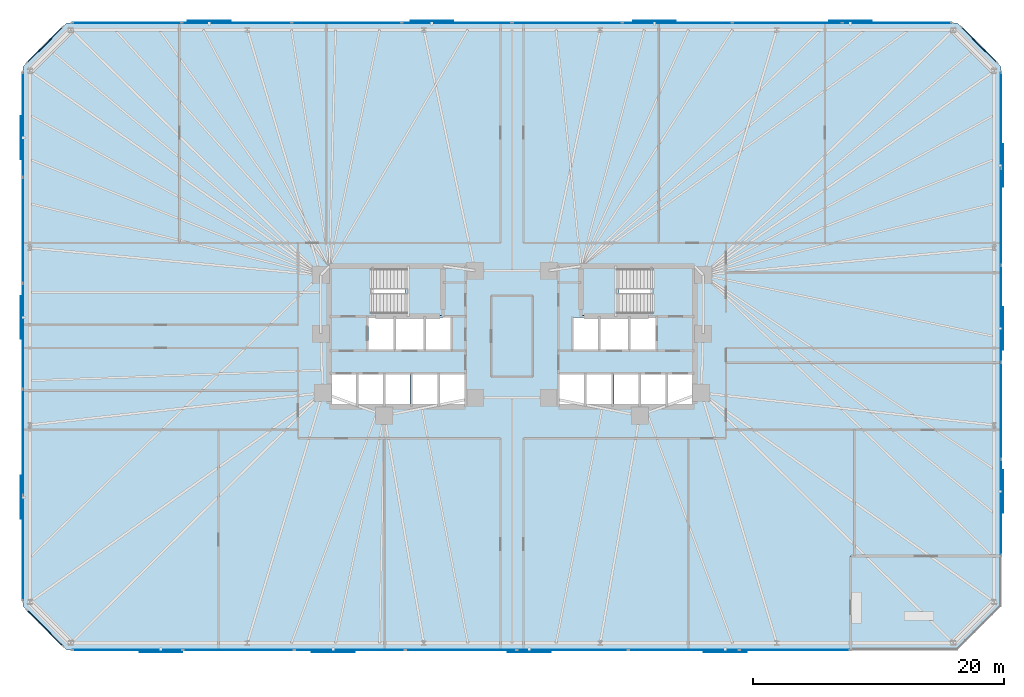
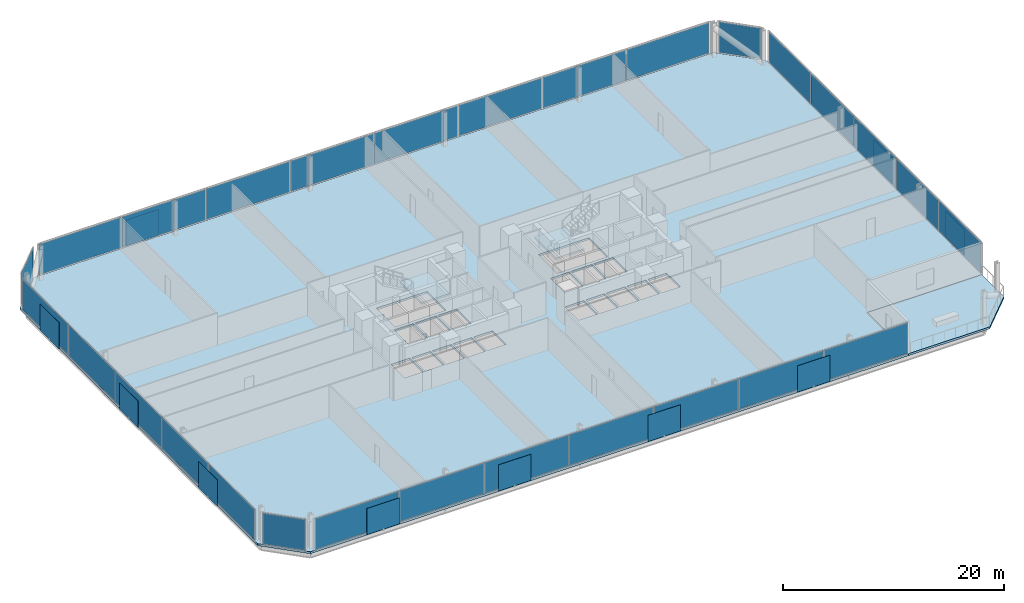
# One storey, part 11 of 17: 42 plates, 4 slabs, 9 elements without a shape of their own.
"""IFC4 building model written with IfcOpenShell, lengths in metres."""

from ifc_helpers import new_model, si_unit, direction, frame, origin, origin_2d, place, context, subcontext, project, spatial, polyline, rectangle, outline, extrude, material, layer, layer_set, type_object, element, aggregate, save


model = new_model("IFC4")

# Units and contexts
model_context = context("Model", 3, precision=1e-05, world=origin(), true_north=direction((0.0, 1.0)))
body_context = subcontext(model_context, "Body", "Model", "MODEL_VIEW")
ifc_project = project(units=[si_unit("LENGTHUNIT", "METRE"), si_unit("AREAUNIT", "SQUARE_METRE"), si_unit("VOLUMEUNIT", "CUBIC_METRE"), si_unit("PLANEANGLEUNIT", "RADIAN"), si_unit("MASSUNIT", "GRAM", prefix="KILO")], contexts=[model_context])

# Site, building, storey
site_placement = place(None, origin())
site = spatial("IfcSite", under=ifc_project, at=site_placement, CompositionType="ELEMENT")
building_placement = place(site_placement, origin())
building = spatial("IfcBuilding", under=site, at=building_placement, Name="Menara Jurai Vektor", CompositionType="ELEMENT")
storey_placement = place(building_placement, frame((0.0, 0.0, 44.60009765625)))
storey = spatial("IfcBuildingStorey", under=building, at=storey_placement, Name="L10", CompositionType="ELEMENT", Elevation=44.60009765625)

# Curtain wall, plates
ifc_material_1 = material(Name="Anodised Pale Aluminium & Low-E Double Glazing", Category="aluminium")
curtain_wall_type = type_object("IfcCurtainWallType", Name="CW-BLK1", PredefinedType="NOTDEFINED", material=ifc_material_1)
curtain_wall_1_placement = place(storey_placement, origin())
curtain_wall_1 = element("IfcCurtainWall", 1, at=curtain_wall_1_placement, inside=storey, type_object=curtain_wall_type, Name="Unitised Curtain Wall L10 F03", PredefinedType="NOTDEFINED")
ifc_material_2 = material(Name="Low-E Solar-Control Double Glazed Unit", Category="glass")
ifc_layer_1 = layer(ifc_material_2, 0.035888671875)
ifc_layer_set_1 = layer_set([ifc_layer_1], Name="Low-E Solar-Control Double Glazed Unit")
plate_type_1 = type_object("IfcPlateType", Name="CW-BLK1-PNL", PredefinedType="CURTAIN_PANEL", material=ifc_layer_set_1)
plate_1_placement = place(storey_placement, frame((39.0, -13.6142578125, 0.0947265625), z_axis=(0.0, 0.0, 1.0), x_axis=(0.0, 1.0, 0.0)))
plate_1 = element("IfcPlate", 2, at=plate_1_placement, type_object=plate_type_1, Name="CW-01 panel 1.1", PredefinedType="CURTAIN_PANEL", context=body_context, shape_type="SweptSolid", body=[
    extrude(rectangle(XDim=7.58154296875, YDim=0.035888671875, at=origin_2d()), origin(), (0.0, 0.0, 1.0), 3.385009765625),
])
plate_2_placement = place(storey_placement, frame((39.0, -5.9140625, 0.0947265625), z_axis=(0.0, 0.0, 1.0), x_axis=(0.0, 1.0, 0.0)))
plate_2 = element("IfcPlate", 3, at=plate_2_placement, type_object=plate_type_1, Name="CW-01 panel 2.1", PredefinedType="CURTAIN_PANEL", context=body_context, shape_type="SweptSolid", body=[
    extrude(rectangle(XDim=7.62890625, YDim=0.035888671875, at=origin_2d()), origin(), (0.0, 0.0, 1.0), 3.385009765625),
])
plate_3_placement = place(storey_placement, frame((39.0, 1.81005859375, 0.0947265625), z_axis=(0.0, 0.0, 1.0), x_axis=(0.0, 1.0, 0.0)))
plate_3 = element("IfcPlate", 4, at=plate_3_placement, type_object=plate_type_1, Name="CW-01 panel 3.1", PredefinedType="CURTAIN_PANEL", context=body_context, shape_type="SweptSolid", body=[
    extrude(rectangle(XDim=7.62890625, YDim=0.035888671875, at=origin_2d()), origin(), (0.0, 0.0, 1.0), 3.385009765625),
])
plate_4_placement = place(storey_placement, frame((39.0, 9.533935546875, 0.0947265625), z_axis=(0.0, 0.0, 1.0), x_axis=(0.0, 1.0, 0.0)))
plate_4 = element("IfcPlate", 5, at=plate_4_placement, type_object=plate_type_1, Name="CW-01 panel 4.1", PredefinedType="CURTAIN_PANEL", context=body_context, shape_type="SweptSolid", body=[
    extrude(rectangle(XDim=7.62890625, YDim=0.035888671875, at=origin_2d()), origin(), (0.0, 0.0, 1.0), 3.385009765625),
])
plate_5_placement = place(storey_placement, frame((39.0, 17.234130859375, 0.0947265625), z_axis=(0.0, 0.0, 1.0), x_axis=(0.0, 1.0, 0.0)))
plate_5 = element("IfcPlate", 6, at=plate_5_placement, type_object=plate_type_1, Name="CW-01 panel 5.1", PredefinedType="CURTAIN_PANEL", context=body_context, shape_type="SweptSolid", body=[
    extrude(rectangle(XDim=7.58154296875, YDim=0.035888671875, at=origin_2d()), origin(), (0.0, 0.0, 1.0), 3.385009765625),
])
aggregate(curtain_wall_1, [plate_1, plate_2, plate_3, plate_4, plate_5])

curtain_wall_2_placement = place(storey_placement, origin())
curtain_wall_2 = element("IfcCurtainWall", 7, at=curtain_wall_2_placement, inside=storey, type_object=curtain_wall_type, Name="Unitised Curtain Wall L10 F05", PredefinedType="NOTDEFINED")
plate_6_placement = place(storey_placement, frame((30.706298828125, 25.0, 0.0947265625), z_axis=(0.0, 0.0, 1.0), x_axis=(-1.0, 0.0, 0.0)))
plate_6 = element("IfcPlate", 8, at=plate_6_placement, type_object=plate_type_1, Name="CW-01 panel 1.1", PredefinedType="CURTAIN_PANEL", context=body_context, shape_type="SweptSolid", body=[
    extrude(rectangle(XDim=8.637451171875, YDim=0.035888671875, at=origin_2d()), origin(), (0.0, 0.0, 1.0), 3.385009765625),
])
plate_7_placement = place(storey_placement, frame((21.949951171875, 25.0, 0.0947265625), z_axis=(0.0, 0.0, 1.0), x_axis=(-1.0, 0.0, 0.0)))
plate_7 = element("IfcPlate", 9, at=plate_7_placement, type_object=plate_type_1, Name="CW-01 panel 2.1", PredefinedType="CURTAIN_PANEL", context=body_context, shape_type="SweptSolid", body=[
    extrude(rectangle(XDim=8.68505859375, YDim=0.035888671875, at=origin_2d()), origin(), (0.0, 0.0, 1.0), 3.385009765625),
])
plate_8_placement = place(storey_placement, frame((13.169921875, 25.0, 0.0947265625), z_axis=(0.0, 0.0, 1.0), x_axis=(-1.0, 0.0, 0.0)))
plate_8 = element("IfcPlate", 10, at=plate_8_placement, type_object=plate_type_1, Name="CW-01 panel 3.1", PredefinedType="CURTAIN_PANEL", context=body_context, shape_type="SweptSolid", body=[
    extrude(rectangle(XDim=8.68505859375, YDim=0.035888671875, at=origin_2d()), origin(), (0.0, 0.0, 1.0), 3.385009765625),
])
plate_9_placement = place(storey_placement, frame((4.389892578125, 25.0, 0.0947265625), z_axis=(0.0, 0.0, 1.0), x_axis=(-1.0, 0.0, 0.0)))
plate_9 = element("IfcPlate", 11, at=plate_9_placement, type_object=plate_type_1, Name="CW-01 panel 4.1", PredefinedType="CURTAIN_PANEL", context=body_context, shape_type="SweptSolid", body=[
    extrude(rectangle(XDim=8.68505859375, YDim=0.035888671875, at=origin_2d()), origin(), (0.0, 0.0, 1.0), 3.385009765625),
])
plate_10_placement = place(storey_placement, frame((-4.389892578125, 25.0, 0.0947265625), z_axis=(0.0, 0.0, 1.0), x_axis=(-1.0, 0.0, 0.0)))
plate_10 = element("IfcPlate", 12, at=plate_10_placement, type_object=plate_type_1, Name="CW-01 panel 5.1", PredefinedType="CURTAIN_PANEL", context=body_context, shape_type="SweptSolid", body=[
    extrude(rectangle(XDim=8.68505859375, YDim=0.035888671875, at=origin_2d()), origin(), (0.0, 0.0, 1.0), 3.385009765625),
])
plate_11_placement = place(storey_placement, frame((-13.169921875, 25.0, 0.0947265625), z_axis=(0.0, 0.0, 1.0), x_axis=(-1.0, 0.0, 0.0)))
plate_11 = element("IfcPlate", 13, at=plate_11_placement, type_object=plate_type_1, Name="CW-01 panel 6.1", PredefinedType="CURTAIN_PANEL", context=body_context, shape_type="SweptSolid", body=[
    extrude(rectangle(XDim=8.68505859375, YDim=0.035888671875, at=origin_2d()), origin(), (0.0, 0.0, 1.0), 3.385009765625),
])
plate_12_placement = place(storey_placement, frame((-21.949951171875, 25.0, 0.0947265625), z_axis=(0.0, 0.0, 1.0), x_axis=(-1.0, 0.0, 0.0)))
plate_12 = element("IfcPlate", 14, at=plate_12_placement, type_object=plate_type_1, Name="CW-01 panel 7.1", PredefinedType="CURTAIN_PANEL", context=body_context, shape_type="SweptSolid", body=[
    extrude(rectangle(XDim=8.68505859375, YDim=0.035888671875, at=origin_2d()), origin(), (0.0, 0.0, 1.0), 3.385009765625),
])
plate_13_placement = place(storey_placement, frame((-30.706298828125, 25.0, 0.0947265625), z_axis=(0.0, 0.0, 1.0), x_axis=(-1.0, 0.0, 0.0)))
plate_13 = element("IfcPlate", 15, at=plate_13_placement, type_object=plate_type_1, Name="CW-01 panel 8.1", PredefinedType="CURTAIN_PANEL", context=body_context, shape_type="SweptSolid", body=[
    extrude(rectangle(XDim=8.637451171875, YDim=0.035888671875, at=origin_2d()), origin(), (0.0, 0.0, 1.0), 3.385009765625),
])
aggregate(curtain_wall_2, [plate_6, plate_7, plate_8, plate_9, plate_10, plate_11, plate_12, plate_13])

curtain_wall_3_placement = place(storey_placement, origin())
curtain_wall_3 = element("IfcCurtainWall", 16, at=curtain_wall_3_placement, inside=storey, type_object=curtain_wall_type, Name="Unitised Curtain Wall L10 F07", PredefinedType="NOTDEFINED")
plate_14_placement = place(storey_placement, frame((-39.0, 16.872314453125, 0.0947265625), z_axis=(0.0, 0.0, 1.0), x_axis=(0.0, -1.0, 0.0)))
plate_14 = element("IfcPlate", 17, at=plate_14_placement, type_object=plate_type_1, Name="CW-01 panel 1.1", PredefinedType="CURTAIN_PANEL", context=body_context, shape_type="SweptSolid", body=[
    extrude(rectangle(XDim=8.305419921875, YDim=0.035888671875, at=origin_2d()), origin(), (0.0, 0.0, 1.0), 3.385009765625),
])
plate_15_placement = place(storey_placement, frame((-39.0, 8.447998046875, 0.0947265625), z_axis=(0.0, 0.0, 1.0), x_axis=(0.0, -1.0, 0.0)))
plate_15 = element("IfcPlate", 18, at=plate_15_placement, type_object=plate_type_1, Name="CW-01 panel 2.1", PredefinedType="CURTAIN_PANEL", context=body_context, shape_type="SweptSolid", body=[
    extrude(rectangle(XDim=8.35302734375, YDim=0.035888671875, at=origin_2d()), origin(), (0.0, 0.0, 1.0), 3.385009765625),
])
plate_16_placement = place(storey_placement, frame((-39.0, 0.0, 0.0947265625), z_axis=(0.0, 0.0, 1.0), x_axis=(0.0, -1.0, 0.0)))
plate_16 = element("IfcPlate", 19, at=plate_16_placement, type_object=plate_type_1, Name="CW-01 panel 3.1", PredefinedType="CURTAIN_PANEL", context=body_context, shape_type="SweptSolid", body=[
    extrude(rectangle(XDim=8.35302734375, YDim=0.035888671875, at=origin_2d()), origin(), (0.0, 0.0, 1.0), 3.385009765625),
])
plate_17_placement = place(storey_placement, frame((-39.0, -8.447998046875, 0.0947265625), z_axis=(0.0, 0.0, 1.0), x_axis=(0.0, -1.0, 0.0)))
plate_17 = element("IfcPlate", 20, at=plate_17_placement, type_object=plate_type_1, Name="CW-01 panel 4.1", PredefinedType="CURTAIN_PANEL", context=body_context, shape_type="SweptSolid", body=[
    extrude(rectangle(XDim=8.35302734375, YDim=0.035888671875, at=origin_2d()), origin(), (0.0, 0.0, 1.0), 3.385009765625),
])
plate_18_placement = place(storey_placement, frame((-39.0, -16.872314453125, 0.0947265625), z_axis=(0.0, 0.0, 1.0), x_axis=(0.0, -1.0, 0.0)))
plate_18 = element("IfcPlate", 21, at=plate_18_placement, type_object=plate_type_1, Name="CW-01 panel 5.1", PredefinedType="CURTAIN_PANEL", context=body_context, shape_type="SweptSolid", body=[
    extrude(rectangle(XDim=8.305419921875, YDim=0.035888671875, at=origin_2d()), origin(), (0.0, 0.0, 1.0), 3.385009765625),
])
aggregate(curtain_wall_3, [plate_14, plate_15, plate_16, plate_17, plate_18])

curtain_wall_4_placement = place(storey_placement, origin())
curtain_wall_4 = element("IfcCurtainWall", 22, at=curtain_wall_4_placement, inside=storey, type_object=curtain_wall_type, Name="Unitised Curtain Wall L10 F09", PredefinedType="NOTDEFINED")
plate_19_placement = place(storey_placement, frame((-30.6591796875, -25.0, 0.0947265625), z_axis=(0.0, 0.0, 1.0), x_axis=(1.0, 0.0, 0.0)))
plate_19 = element("IfcPlate", 23, at=plate_19_placement, type_object=plate_type_1, Name="CW-01 panel 1.1", PredefinedType="CURTAIN_PANEL", context=body_context, shape_type="SweptSolid", body=[
    extrude(rectangle(XDim=8.731689453125, YDim=0.035888671875, at=origin_2d()), origin(), (0.0, 0.0, 1.0), 3.385009765625),
])
plate_20_placement = place(storey_placement, frame((-21.80859375, -25.0, 0.0947265625), z_axis=(0.0, 0.0, 1.0), x_axis=(1.0, 0.0, 0.0)))
plate_20 = element("IfcPlate", 24, at=plate_20_placement, type_object=plate_type_1, Name="CW-01 panel 2.1", PredefinedType="CURTAIN_PANEL", context=body_context, shape_type="SweptSolid", body=[
    extrude(rectangle(XDim=8.779296875, YDim=0.035888671875, at=origin_2d()), origin(), (0.0, 0.0, 1.0), 3.385009765625),
])
plate_21_placement = place(storey_placement, frame((-12.934326171875, -25.0, 0.0947265625), z_axis=(0.0, 0.0, 1.0), x_axis=(1.0, 0.0, 0.0)))
plate_21 = element("IfcPlate", 25, at=plate_21_placement, type_object=plate_type_1, Name="CW-01 panel 3.1", PredefinedType="CURTAIN_PANEL", context=body_context, shape_type="SweptSolid", body=[
    extrude(rectangle(XDim=8.779296875, YDim=0.035888671875, at=origin_2d()), origin(), (0.0, 0.0, 1.0), 3.385009765625),
])
plate_22_placement = place(storey_placement, frame((-4.06005859375, -25.0, 0.0947265625), z_axis=(0.0, 0.0, 1.0), x_axis=(1.0, 0.0, 0.0)))
plate_22 = element("IfcPlate", 26, at=plate_22_placement, type_object=plate_type_1, Name="CW-01 panel 4.1", PredefinedType="CURTAIN_PANEL", context=body_context, shape_type="SweptSolid", body=[
    extrude(rectangle(XDim=8.779296875, YDim=0.035888671875, at=origin_2d()), origin(), (0.0, 0.0, 1.0), 3.385009765625),
])
plate_23_placement = place(storey_placement, frame((4.814208984375, -25.0, 0.0947265625), z_axis=(0.0, 0.0, 1.0), x_axis=(1.0, 0.0, 0.0)))
plate_23 = element("IfcPlate", 27, at=plate_23_placement, type_object=plate_type_1, Name="CW-01 panel 5.1", PredefinedType="CURTAIN_PANEL", context=body_context, shape_type="SweptSolid", body=[
    extrude(rectangle(XDim=8.779296875, YDim=0.035888671875, at=origin_2d()), origin(), (0.0, 0.0, 1.0), 3.385009765625),
])
plate_24_placement = place(storey_placement, frame((13.6884765625, -25.0, 0.0947265625), z_axis=(0.0, 0.0, 1.0), x_axis=(1.0, 0.0, 0.0)))
plate_24 = element("IfcPlate", 28, at=plate_24_placement, type_object=plate_type_1, Name="CW-01 panel 6.1", PredefinedType="CURTAIN_PANEL", context=body_context, shape_type="SweptSolid", body=[
    extrude(rectangle(XDim=8.779296875, YDim=0.035888671875, at=origin_2d()), origin(), (0.0, 0.0, 1.0), 3.385009765625),
])
plate_25_placement = place(storey_placement, frame((22.5390625, -25.0, 0.0947265625), z_axis=(0.0, 0.0, 1.0), x_axis=(1.0, 0.0, 0.0)))
plate_25 = element("IfcPlate", 29, at=plate_25_placement, type_object=plate_type_1, Name="CW-01 panel 7.1", PredefinedType="CURTAIN_PANEL", context=body_context, shape_type="SweptSolid", body=[
    extrude(rectangle(XDim=8.731689453125, YDim=0.035888671875, at=origin_2d()), origin(), (0.0, 0.0, 1.0), 3.385009765625),
])
aggregate(curtain_wall_4, [plate_19, plate_20, plate_21, plate_22, plate_23, plate_24, plate_25])

# Curtain wall, plate
curtain_wall_5_placement = place(storey_placement, origin())
curtain_wall_5 = element("IfcCurtainWall", 30, at=curtain_wall_5_placement, inside=storey, type_object=curtain_wall_type, Name="Unitised Curtain Wall L10 F04", PredefinedType="NOTDEFINED")
ifc_material_3 = material(Name="Insulated Pale Aluminium Spandrel Panel", Category="aluminium")
ifc_layer_2 = layer(ifc_material_3, 0.06005859375)
ifc_layer_set_2 = layer_set([ifc_layer_2], Name="Insulated Pale Aluminium Spandrel Panel")
plate_type_2 = type_object("IfcPlateType", Name="CW-PNL-SP", PredefinedType="CURTAIN_PANEL", material=ifc_layer_set_2)
plate_26_placement = place(storey_placement, frame((37.25, 23.25, 0.0947265625), z_axis=(0.0, 0.0, 1.0), x_axis=(-0.707106781187, 0.707106781187, 0.0)))
plate_26 = element("IfcPlate", 31, at=plate_26_placement, type_object=plate_type_2, Name="CW-01 panel 1.1", PredefinedType="CURTAIN_PANEL", context=body_context, shape_type="SweptSolid", body=[
    extrude(rectangle(XDim=3.999755859375, YDim=0.06005859375, at=origin_2d()), origin(), (0.0, 0.0, 1.0), 3.385009765625),
])
aggregate(curtain_wall_5, [plate_26])

curtain_wall_6_placement = place(storey_placement, origin())
curtain_wall_6 = element("IfcCurtainWall", 32, at=curtain_wall_6_placement, inside=storey, type_object=curtain_wall_type, Name="Unitised Curtain Wall L10 F06", PredefinedType="NOTDEFINED")
plate_27_placement = place(storey_placement, frame((-37.25, 23.25, 0.0947265625), z_axis=(0.0, 0.0, 1.0), x_axis=(-0.707106781187, -0.707106781187, 0.0)))
plate_27 = element("IfcPlate", 33, at=plate_27_placement, type_object=plate_type_2, Name="CW-01 panel 1.1", PredefinedType="CURTAIN_PANEL", context=body_context, shape_type="SweptSolid", body=[
    extrude(rectangle(XDim=3.999755859375, YDim=0.06005859375, at=origin_2d()), origin(), (0.0, 0.0, 1.0), 3.385009765625),
])
aggregate(curtain_wall_6, [plate_27])

curtain_wall_7_placement = place(storey_placement, origin())
curtain_wall_7 = element("IfcCurtainWall", 34, at=curtain_wall_7_placement, inside=storey, type_object=curtain_wall_type, Name="Unitised Curtain Wall L10 F08", PredefinedType="NOTDEFINED")
plate_28_placement = place(storey_placement, frame((-37.25, -23.25, 0.0947265625), z_axis=(0.0, 0.0, 1.0), x_axis=(0.707106781187, -0.707106781187, 0.0)))
plate_28 = element("IfcPlate", 35, at=plate_28_placement, type_object=plate_type_2, Name="CW-01 panel 1.1", PredefinedType="CURTAIN_PANEL", context=body_context, shape_type="SweptSolid", body=[
    extrude(rectangle(XDim=3.999755859375, YDim=0.06005859375, at=origin_2d()), origin(), (0.0, 0.0, 1.0), 3.385009765625),
])
aggregate(curtain_wall_7, [plate_28])

# Plates
ifc_material_4 = material(Name="Anodised Pale Aluminium Perforated Screen", Category="aluminium")
ifc_layer_3 = layer(ifc_material_4, 0.02392578125)
ifc_layer_set_3 = layer_set([ifc_layer_3], Name="Anodised Pale Aluminium Perforated Screen")
plate_type_3 = type_object("IfcPlateType", Name="ENV-PLT-SCREEN", PredefinedType="USERDEFINED", material=ifc_layer_set_3)
for number, where, z_axis, x_axis, name in (
    (36, (39.159912109375, -12.364990234375, -0.050048828125), (0.0, 0.0, 1.0), (0.0, 1.0, 0.0), "Perforated Pale-Metal Solar Screen L10-S01"),
    (37, (39.159912109375, 0.635009765625, -0.050048828125), (0.0, 0.0, 1.0), (0.0, 1.0, 0.0), "Perforated Pale-Metal Solar Screen L10-S02"),
    (38, (39.159912109375, 13.635009765625, -0.050048828125), (0.0, 0.0, 1.0), (0.0, 1.0, 0.0), "Perforated Pale-Metal Solar Screen L10-S03"),
    (39, (26.97998046875, 25.159912109375, -0.050048828125), (0.0, 0.0, 1.0), (-1.0, 0.0, 0.0), "Perforated Pale-Metal Solar Screen L10-S04"),
    (40, (11.360107421875, 25.159912109375, -0.050048828125), (0.0, 0.0, 1.0), (-1.0, 0.0, 0.0), "Perforated Pale-Metal Solar Screen L10-S05"),
    (41, (-6.389892578125, 25.159912109375, -0.050048828125), (0.0, 0.0, 1.0), (-1.0, 0.0, 0.0), "Perforated Pale-Metal Solar Screen L10-S06"),
    (42, (-24.139892578125, 25.159912109375, -0.050048828125), (0.0, 0.0, 1.0), (-1.0, 0.0, 0.0), "Perforated Pale-Metal Solar Screen L10-S07"),
    (43, (-39.159912109375, 15.83837890625, -0.050048828125), (0.0, 0.0, 1.0), (0.0, -1.0, 0.0), "Perforated Pale-Metal Solar Screen L10-S08"),
    (44, (-39.159912109375, 1.5048828125, -0.050048828125), (0.0, 0.0, 1.0), (0.0, -1.0, 0.0), "Perforated Pale-Metal Solar Screen L10-S09"),
    (45, (-39.159912109375, -12.828369140625, -0.050048828125), (0.0, 0.0, 1.0), (0.0, -1.0, 0.0), "Perforated Pale-Metal Solar Screen L10-S10"),
    (46, (-28.0, -25.159912109375, -0.050048828125), (0.0, 0.0, 1.0), (1.0, 0.0, 0.0), "Perforated Pale-Metal Solar Screen L10-S11"),
    (47, (-14.25, -25.159912109375, -0.050048828125), (0.0, 0.0, 1.0), (1.0, 0.0, 0.0), "Perforated Pale-Metal Solar Screen L10-S12"),
    (48, (1.375, -25.159912109375, -0.050048828125), (0.0, 0.0, 1.0), (1.0, 0.0, 0.0), "Perforated Pale-Metal Solar Screen L10-S13"),
    (49, (17.0, -25.159912109375, -0.050048828125), (0.0, 0.0, 1.0), (1.0, 0.0, 0.0), "Perforated Pale-Metal Solar Screen L10-S14"),
):
    element("IfcPlate", number, at=place(storey_placement, frame(where, z_axis=z_axis, x_axis=x_axis)), inside=storey, type_object=plate_type_3, Name=name, ObjectType="SCREEN", PredefinedType="USERDEFINED", context=body_context, shape_type="SweptSolid", body=[
        extrude(rectangle(XDim=3.39990234375, YDim=0.02392578125, at=origin_2d()), origin(), (0.0, 0.0, 1.0), 2.89990234375),
    ])

# Stair, slab
ifc_material_5 = material(Name="Concrete C40/50", Category="concrete")
stair_type = type_object("IfcStairType", Name="STAIR-DOGLEG-1500", PredefinedType="HALF_TURN_STAIR", material=ifc_material_5)
stair_1_placement = place(storey_placement, origin())
stair_1 = element("IfcStair", 50, at=stair_1_placement, inside=storey, type_object=stair_type, Name="Protected Exit Stair ST1 L10", PredefinedType="HALF_TURN_STAIR")
ifc_layer_4 = layer(ifc_material_5, 0.199951171875)
ifc_layer_set_4 = layer_set([ifc_layer_4], Name="Concrete C40/50")
slab_type_1 = type_object("IfcSlabType", Name="STAIR-LANDING-200", PredefinedType="LANDING", material=ifc_layer_set_4)
slab_1_placement = place(storey_placement, frame((0.0, 0.0, 1.699951171875)))
slab_1 = element("IfcSlab", 51, at=slab_1_placement, type_object=slab_type_1, Name="ST1 landing 1", PredefinedType="LANDING", context=body_context, shape_type="SweptSolid", body=[
    extrude(outline(polyline([(-8.52001953125, 1.64990234375), (-5.550048828125, 1.64990234375), (-5.550048828125, 5.550048828125), (-8.52001953125, 5.550048828125), (-8.52001953125, 1.64990234375)])), origin(), (0.0, 0.0, 1.0), 0.199951171875),
])
aggregate(stair_1, [slab_1])

stair_2_placement = place(storey_placement, origin())
stair_2 = element("IfcStair", 52, at=stair_2_placement, inside=storey, type_object=stair_type, Name="Protected Exit Stair ST2 L10", PredefinedType="HALF_TURN_STAIR")
slab_2_placement = place(storey_placement, frame((0.0, 0.0, 1.699951171875)))
slab_2 = element("IfcSlab", 53, at=slab_2_placement, type_object=slab_type_1, Name="ST2 landing 1", PredefinedType="LANDING", context=body_context, shape_type="SweptSolid", body=[
    extrude(outline(polyline([(5.550048828125, 1.64990234375), (8.52001953125, 1.64990234375), (8.52001953125, 5.550048828125), (5.550048828125, 5.550048828125), (5.550048828125, 1.64990234375)])), origin(), (0.0, 0.0, 1.0), 0.199951171875),
])
aggregate(stair_2, [slab_2])

# Slabs
ifc_layer_5 = layer(ifc_material_5, 0.219970703125)
ifc_layer_set_5 = layer_set([ifc_layer_5], Name="Concrete C40/50")
slab_type_2 = type_object("IfcSlabType", Name="STR-SLAB-TER220", PredefinedType="FLOOR", material=ifc_layer_set_5)
slab_3_placement = place(storey_placement, frame((0.0, 0.0, -0.22509765625)))
element("IfcSlab", 54, at=slab_3_placement, inside=storey, type_object=slab_type_2, Name="Spiral Sky Terrace Slab L10", PredefinedType="FLOOR", context=body_context, shape_type="SweptSolid", body=[
    extrude(outline(polyline([(39.0, -17.5), (27.0, -17.5), (27.0, -25.0), (35.5, -25.0), (39.0, -21.5), (39.0, -17.5)])), origin(), (0.0, 0.0, 1.0), 0.22509765625),
])
ifc_layer_6 = layer(ifc_material_5, 0.22509765625)
ifc_layer_set_6 = layer_set([ifc_layer_6], Name="Concrete C40/50")
slab_type_3 = type_object("IfcSlabType", Name="STR-SLAB-TYP200", PredefinedType="FLOOR", material=ifc_layer_set_6)
slab_4_placement = place(storey_placement, frame((0.0, 0.0, -0.22509765625)))
element("IfcSlab", 55, at=slab_4_placement, inside=storey, type_object=slab_type_3, Name="Composite Floor Slab L10", PredefinedType="FLOOR", context=body_context, shape_type="SweptSolid", body=[
    extrude(outline(polyline([(27.0, -25.0), (27.0, -17.5), (39.0, -17.5), (39.0, 21.5), (35.5, 25.0), (-35.5, 25.0), (-39.0, 21.5), (-39.0, -21.5), (-35.5, -25.0), (27.0, -25.0)]), holes=[polyline([(-11.10009765625, 1.89990234375), (-11.10009765625, 5.300048828125), (-5.800048828125, 5.300048828125), (-5.800048828125, 1.89990234375), (-11.10009765625, 1.89990234375)]), polyline([(5.800048828125, 1.89990234375), (5.800048828125, 5.300048828125), (11.10009765625, 5.300048828125), (11.10009765625, 1.89990234375), (5.800048828125, 1.89990234375)]), polyline([(-11.449951171875, -1.050048828125), (-11.449951171875, 1.5), (-9.449951171875, 1.5), (-9.449951171875, -1.050048828125), (-11.449951171875, -1.050048828125)]), polyline([(9.449951171875, -1.050048828125), (9.449951171875, 1.5), (11.449951171875, 1.5), (11.449951171875, -1.050048828125), (9.449951171875, -1.050048828125)]), polyline([(-5.760009765625, -5.5), (-5.760009765625, -3.050048828125), (-3.800048828125, -3.050048828125), (-3.800048828125, -5.5), (-5.760009765625, -5.5)]), polyline([(-6.85009765625, -1.050048828125), (-6.85009765625, 1.5), (-4.889892578125, 1.5), (-4.889892578125, -1.050048828125), (-6.85009765625, -1.050048828125)]), polyline([(3.800048828125, -5.5), (3.800048828125, -3.050048828125), (5.760009765625, -3.050048828125), (5.760009765625, -5.5), (3.800048828125, -5.5)]), polyline([(4.889892578125, -1.050048828125), (4.889892578125, 1.5), (6.85009765625, 1.5), (6.85009765625, -1.050048828125), (4.889892578125, -1.050048828125)]), polyline([(-14.39990234375, -5.5), (-14.39990234375, -3.050048828125), (-12.43994140625, -3.050048828125), (-12.43994140625, -5.5), (-14.39990234375, -5.5)]), polyline([(-12.239990234375, -5.5), (-12.239990234375, -3.050048828125), (-10.280029296875, -3.050048828125), (-10.280029296875, -5.5), (-12.239990234375, -5.5)]), polyline([(10.280029296875, -5.5), (10.280029296875, -3.050048828125), (12.239990234375, -3.050048828125), (12.239990234375, -5.5), (10.280029296875, -5.5)]), polyline([(12.43994140625, -5.5), (12.43994140625, -3.050048828125), (14.39990234375, -3.050048828125), (14.39990234375, -5.5), (12.43994140625, -5.5)]), polyline([(-10.080078125, -5.5), (-10.080078125, -3.050048828125), (-8.1201171875, -3.050048828125), (-8.1201171875, -5.5), (-10.080078125, -5.5)]), polyline([(-7.919921875, -5.5), (-7.919921875, -3.050048828125), (-5.9599609375, -3.050048828125), (-5.9599609375, -5.5), (-7.919921875, -5.5)]), polyline([(5.9599609375, -5.5), (5.9599609375, -3.050048828125), (7.919921875, -3.050048828125), (7.919921875, -5.5), (5.9599609375, -5.5)]), polyline([(8.1201171875, -5.5), (8.1201171875, -3.050048828125), (10.080078125, -3.050048828125), (10.080078125, -5.5), (8.1201171875, -5.5)]), polyline([(-9.25, -1.050048828125), (-9.25, 1.5), (-7.050048828125, 1.5), (-7.050048828125, -1.050048828125), (-9.25, -1.050048828125)]), polyline([(7.050048828125, -1.050048828125), (7.050048828125, 1.5), (9.25, 1.5), (9.25, -1.050048828125), (7.050048828125, -1.050048828125)])]), origin(), (0.0, 0.0, 1.0), 0.22509765625),
])

save(model, "model.ifc")
